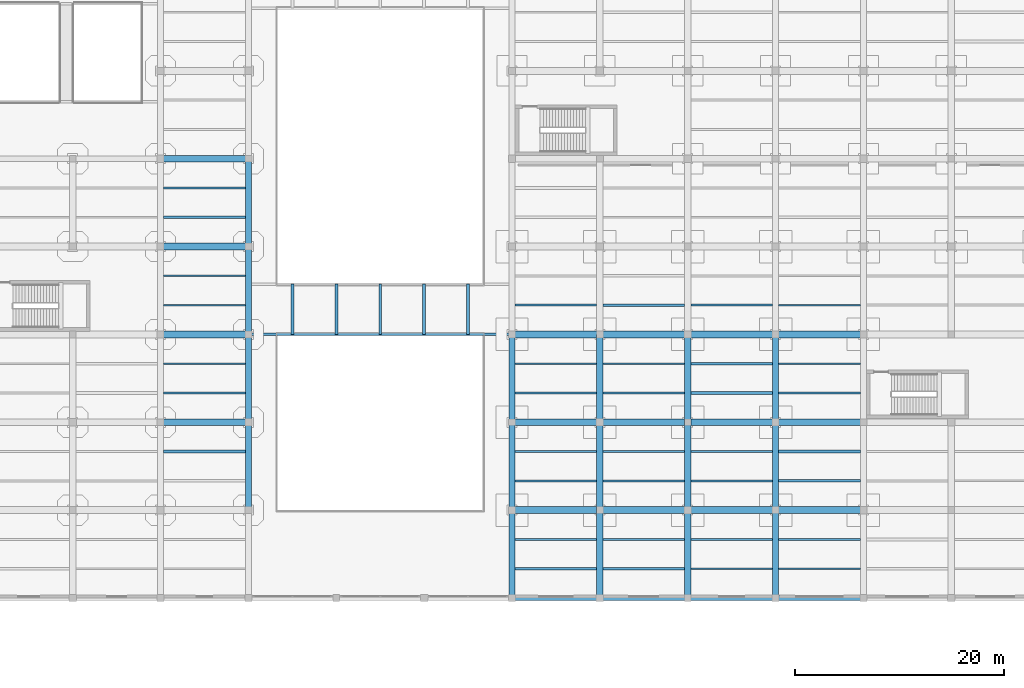
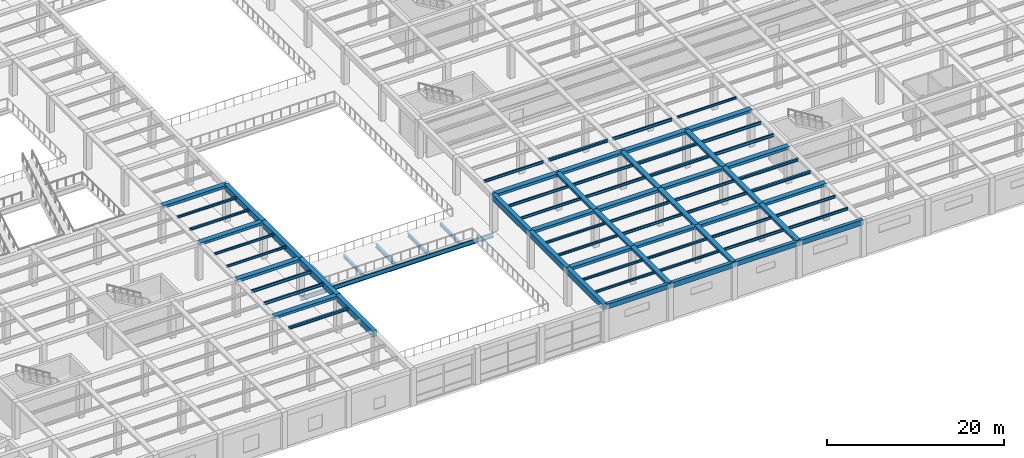
# One storey, part 27 of 95: 77 beams.
"""IFC4 building model written with IfcOpenShell, lengths in metres."""

from ifc_helpers import new_model, si_unit, direction, frame, origin, origin_2d, place, context, subcontext, project, spatial, rectangle, i_section, extrude, material, material_profile, profile_set, type_object, element, save


model = new_model("IFC4")

# Units and contexts
model_context = context("Model", 3, precision=1e-05, world=origin(), true_north=direction((0.0, 1.0)))
body_context = subcontext(model_context, "Body", "Model", "MODEL_VIEW")
ifc_project = project(units=[si_unit("LENGTHUNIT", "METRE"), si_unit("AREAUNIT", "SQUARE_METRE"), si_unit("VOLUMEUNIT", "CUBIC_METRE"), si_unit("PLANEANGLEUNIT", "RADIAN"), si_unit("MASSUNIT", "GRAM", prefix="KILO")], contexts=[model_context])

# Site, building, storey
site_placement = place(None, origin())
site = spatial("IfcSite", under=ifc_project, at=site_placement, CompositionType="ELEMENT")
building_placement = place(site_placement, origin())
building = spatial("IfcBuilding", under=site, at=building_placement, Name="Almacenes y Pasaje Nevantli", CompositionType="ELEMENT")
storey_placement = place(building_placement, frame((0.0, 0.0, 11.39990234375)))
storey = spatial("IfcBuildingStorey", under=building, at=storey_placement, Name="L03", CompositionType="ELEMENT", Elevation=11.39990234375)

# Beams
ifc_material_1 = material(Name="Concrete C35/45", Category="concrete")
ifc_material_profile_1 = material_profile(ifc_material_1, rectangle(XDim=0.449951171875, YDim=0.64990234375, at=origin_2d()), Name="RC-BM-450x650")
ifc_profile_set_1 = profile_set([ifc_material_profile_1], Name="Concrete C35/45")
beam_type_1 = type_object("IfcBeamType", Name="BM-RC-450x650", PredefinedType="SPANDREL", material=ifc_profile_set_1)
for number, where, z_axis, x_axis, name in (
    (1, (92.39990234375, 0.0, 4.775146484375), (1.0, 0.0, 0.0), (0.0, 1.0, 0.0), "L03 East-West Reinforced Concrete Beam #2245"),
    (2, (109.199951171875, 0.0, 4.775146484375), (1.0, 0.0, 0.0), (0.0, 1.0, 0.0), "L03 East-West Reinforced Concrete Beam #2247"),
):
    element("IfcBeam", number, at=place(storey_placement, frame(where, z_axis=z_axis, x_axis=x_axis)), inside=storey, type_object=beam_type_1, Name=name, PredefinedType="SPANDREL", context=body_context, shape_type="SweptSolid", body=[
        extrude(rectangle(XDim=0.449951171875, YDim=0.64990234375, at=origin_2d()), origin(), (0.0, 0.0, 1.0), 8.400146484375),
    ])
ifc_material_2 = material(Name="Concrete C35/45", Category="concrete")
ifc_material_profile_2 = material_profile(ifc_material_2, rectangle(XDim=0.449951171875, YDim=0.699951171875, at=origin_2d()), Name="RC-BM-450x700")
ifc_profile_set_2 = profile_set([ifc_material_profile_2], Name="Concrete C35/45")
beam_type_2 = type_object("IfcBeamType", Name="BM-RC-450x700", PredefinedType="SPANDREL", material=ifc_profile_set_2)
for number, where, z_axis, x_axis, name in (
    (3, (100.800048828125, 0.0, 4.75), (1.0, 0.0, 0.0), (0.0, 1.0, 0.0), "L03 East-West Reinforced Concrete Beam #2246"),
    (4, (117.60009765625, 0.0, 4.75), (1.0, 0.0, 0.0), (0.0, 1.0, 0.0), "L03 East-West Reinforced Concrete Beam #2248"),
):
    element("IfcBeam", number, at=place(storey_placement, frame(where, z_axis=z_axis, x_axis=x_axis)), inside=storey, type_object=beam_type_2, Name=name, PredefinedType="SPANDREL", context=body_context, shape_type="SweptSolid", body=[
        extrude(rectangle(XDim=0.449951171875, YDim=0.699951171875, at=origin_2d()), origin(), (0.0, 0.0, 1.0), 8.39990234375),
    ])
ifc_material_3 = material(Name="Concrete C35/45", Category="concrete")
ifc_material_profile_3 = material_profile(ifc_material_3, rectangle(XDim=0.550048828125, YDim=0.800048828125, at=origin_2d()), Name="RC-BM-550x800")
ifc_profile_set_3 = profile_set([ifc_material_profile_3], Name="Concrete C35/45")
beam_type_3 = type_object("IfcBeamType", Name="BM-RC-550x800", PredefinedType="BEAM", material=ifc_profile_set_3)
beam_1_placement = place(storey_placement, frame((67.199951171875, 8.39990234375, 4.7001953125), z_axis=(0.0, 1.0, 0.0), x_axis=(-1.0, 0.0, 0.0)))
element("IfcBeam", 5, at=beam_1_placement, inside=storey, type_object=beam_type_3, Name="L03 North-South Reinforced Concrete Beam #2569", PredefinedType="BEAM", context=body_context, shape_type="SweptSolid", body=[
    extrude(rectangle(XDim=0.550048828125, YDim=0.800048828125, at=origin_2d()), origin(), (0.0, 0.0, 1.0), 8.400146484375),
])
beam_2_placement = place(storey_placement, frame((67.199951171875, 16.800048828125, 4.7001953125), z_axis=(0.0, 1.0, 0.0), x_axis=(-1.0, 0.0, 0.0)))
element("IfcBeam", 6, at=beam_2_placement, inside=storey, type_object=beam_type_3, Name="L03 North-South Reinforced Concrete Beam #2570", PredefinedType="BEAM", context=body_context, shape_type="SweptSolid", body=[
    extrude(rectangle(XDim=0.550048828125, YDim=0.800048828125, at=origin_2d()), origin(), (0.0, 0.0, 1.0), 8.39990234375),
])
beam_3_placement = place(storey_placement, frame((67.199951171875, 25.199951171875, 4.7001953125), z_axis=(0.0, 1.0, 0.0), x_axis=(-1.0, 0.0, 0.0)))
element("IfcBeam", 7, at=beam_3_placement, inside=storey, type_object=beam_type_3, Name="L03 North-South Reinforced Concrete Beam #2571", PredefinedType="BEAM", context=body_context, shape_type="SweptSolid", body=[
    extrude(rectangle(XDim=0.550048828125, YDim=0.800048828125, at=origin_2d()), origin(), (0.0, 0.0, 1.0), 8.400146484375),
])
for number, where, z_axis, x_axis, name in (
    (8, (67.199951171875, 33.60009765625, 4.7001953125), (0.0, 1.0, 0.0), (-1.0, 0.0, 0.0), "L03 North-South Reinforced Concrete Beam #2572"),
    (9, (92.39990234375, 0.0, 4.7001953125), (0.0, 1.0, 0.0), (-1.0, 0.0, 0.0), "L03 North-South Reinforced Concrete Beam #2582"),
):
    element("IfcBeam", number, at=place(storey_placement, frame(where, z_axis=z_axis, x_axis=x_axis)), inside=storey, type_object=beam_type_3, Name=name, PredefinedType="BEAM", context=body_context, shape_type="SweptSolid", body=[
        extrude(rectangle(XDim=0.550048828125, YDim=0.800048828125, at=origin_2d()), origin(), (0.0, 0.0, 1.0), 8.39990234375),
    ])
beam_4_placement = place(storey_placement, frame((92.39990234375, 8.39990234375, 4.7001953125), z_axis=(0.0, 1.0, 0.0), x_axis=(-1.0, 0.0, 0.0)))
element("IfcBeam", 10, at=beam_4_placement, inside=storey, type_object=beam_type_3, Name="L03 North-South Reinforced Concrete Beam #2583", PredefinedType="BEAM", context=body_context, shape_type="SweptSolid", body=[
    extrude(rectangle(XDim=0.550048828125, YDim=0.800048828125, at=origin_2d()), origin(), (0.0, 0.0, 1.0), 8.400146484375),
])
beam_5_placement = place(storey_placement, frame((92.39990234375, 16.800048828125, 4.7001953125), z_axis=(0.0, 1.0, 0.0), x_axis=(-1.0, 0.0, 0.0)))
element("IfcBeam", 11, at=beam_5_placement, inside=storey, type_object=beam_type_3, Name="L03 North-South Reinforced Concrete Beam #2584", PredefinedType="BEAM", context=body_context, shape_type="SweptSolid", body=[
    extrude(rectangle(XDim=0.550048828125, YDim=0.800048828125, at=origin_2d()), origin(), (0.0, 0.0, 1.0), 8.39990234375),
])
ifc_material_4 = material(Name="Concrete C35/45", Category="concrete")
ifc_material_profile_4 = material_profile(ifc_material_4, rectangle(XDim=0.60009765625, YDim=0.320068359375, at=origin_2d()), Name="RC-BM-600x320")
ifc_profile_set_4 = profile_set([ifc_material_profile_4], Name="Concrete C35/45")
beam_type_4 = type_object("IfcBeamType", Name="BM-RC-600x320", PredefinedType="BEAM", material=ifc_profile_set_4)
beam_6_placement = place(storey_placement, frame((100.800048828125, 8.39990234375, 4.940185546875), z_axis=(0.0, 1.0, 0.0), x_axis=(-1.0, 0.0, 0.0)))
element("IfcBeam", 12, at=beam_6_placement, inside=storey, type_object=beam_type_4, Name="L03 North-South Reinforced Concrete Beam #2597", PredefinedType="BEAM", context=body_context, shape_type="SweptSolid", body=[
    extrude(rectangle(XDim=0.60009765625, YDim=0.320068359375, at=origin_2d()), origin(), (0.0, 0.0, 1.0), 8.400146484375),
])
for number, where, z_axis, x_axis, name in (
    (13, (109.199951171875, 0.0, 4.940185546875), (0.0, 1.0, 0.0), (-1.0, 0.0, 0.0), "L03 North-South Reinforced Concrete Beam #2609"),
    (14, (109.199951171875, 16.800048828125, 4.940185546875), (0.0, 1.0, 0.0), (-1.0, 0.0, 0.0), "L03 North-South Reinforced Concrete Beam #2611"),
):
    element("IfcBeam", number, at=place(storey_placement, frame(where, z_axis=z_axis, x_axis=x_axis)), inside=storey, type_object=beam_type_4, Name=name, PredefinedType="BEAM", context=body_context, shape_type="SweptSolid", body=[
        extrude(rectangle(XDim=0.60009765625, YDim=0.320068359375, at=origin_2d()), origin(), (0.0, 0.0, 1.0), 8.39990234375),
    ])
beam_7_placement = place(storey_placement, frame((117.60009765625, 8.39990234375, 4.940185546875), z_axis=(0.0, 1.0, 0.0), x_axis=(-1.0, 0.0, 0.0)))
element("IfcBeam", 15, at=beam_7_placement, inside=storey, type_object=beam_type_4, Name="L03 North-South Reinforced Concrete Beam #2623", PredefinedType="BEAM", context=body_context, shape_type="SweptSolid", body=[
    extrude(rectangle(XDim=0.60009765625, YDim=0.320068359375, at=origin_2d()), origin(), (0.0, 0.0, 1.0), 8.400146484375),
])
ifc_material_5 = material(Name="Concrete C35/45", Category="concrete")
ifc_material_profile_5 = material_profile(ifc_material_5, rectangle(XDim=0.60009765625, YDim=0.340087890625, at=origin_2d()), Name="RC-BM-600x340")
ifc_profile_set_5 = profile_set([ifc_material_profile_5], Name="Concrete C35/45")
beam_type_5 = type_object("IfcBeamType", Name="BM-RC-600x340", PredefinedType="BEAM", material=ifc_profile_set_5)
for number, where, z_axis, x_axis, name in (
    (16, (100.800048828125, 0.0, 4.93017578125), (0.0, 1.0, 0.0), (-1.0, 0.0, 0.0), "L03 North-South Reinforced Concrete Beam #2596"),
    (17, (100.800048828125, 16.800048828125, 4.93017578125), (0.0, 1.0, 0.0), (-1.0, 0.0, 0.0), "L03 North-South Reinforced Concrete Beam #2598"),
):
    element("IfcBeam", number, at=place(storey_placement, frame(where, z_axis=z_axis, x_axis=x_axis)), inside=storey, type_object=beam_type_5, Name=name, PredefinedType="BEAM", context=body_context, shape_type="SweptSolid", body=[
        extrude(rectangle(XDim=0.60009765625, YDim=0.340087890625, at=origin_2d()), origin(), (0.0, 0.0, 1.0), 8.39990234375),
    ])
beam_8_placement = place(storey_placement, frame((109.199951171875, 8.39990234375, 4.93017578125), z_axis=(0.0, 1.0, 0.0), x_axis=(-1.0, 0.0, 0.0)))
element("IfcBeam", 18, at=beam_8_placement, inside=storey, type_object=beam_type_5, Name="L03 North-South Reinforced Concrete Beam #2610", PredefinedType="BEAM", context=body_context, shape_type="SweptSolid", body=[
    extrude(rectangle(XDim=0.60009765625, YDim=0.340087890625, at=origin_2d()), origin(), (0.0, 0.0, 1.0), 8.400146484375),
])
for number, where, z_axis, x_axis, name in (
    (19, (117.60009765625, 0.0, 4.93017578125), (0.0, 1.0, 0.0), (-1.0, 0.0, 0.0), "L03 North-South Reinforced Concrete Beam #2622"),
    (20, (117.60009765625, 16.800048828125, 4.93017578125), (0.0, 1.0, 0.0), (-1.0, 0.0, 0.0), "L03 North-South Reinforced Concrete Beam #2624"),
):
    element("IfcBeam", number, at=place(storey_placement, frame(where, z_axis=z_axis, x_axis=x_axis)), inside=storey, type_object=beam_type_5, Name=name, PredefinedType="BEAM", context=body_context, shape_type="SweptSolid", body=[
        extrude(rectangle(XDim=0.60009765625, YDim=0.340087890625, at=origin_2d()), origin(), (0.0, 0.0, 1.0), 8.39990234375),
    ])
ifc_material_6 = material(Name="Concrete C35/45", Category="concrete")
ifc_material_profile_6 = material_profile(ifc_material_6, rectangle(XDim=0.64990234375, YDim=0.35009765625, at=origin_2d()), Name="RC-BM-650x350")
ifc_profile_set_6 = profile_set([ifc_material_profile_6], Name="Concrete C35/45")
beam_type_6 = type_object("IfcBeamType", Name="BM-RC-650x350", PredefinedType="BEAM", material=ifc_profile_set_6)
for number, where, z_axis, x_axis, name in (
    (21, (100.800048828125, 8.39990234375, 4.925048828125), (1.0, 0.0, 0.0), (0.0, 1.0, 0.0), "L03 East-West Reinforced Concrete Beam #2260"),
    (22, (117.60009765625, 8.39990234375, 4.925048828125), (1.0, 0.0, 0.0), (0.0, 1.0, 0.0), "L03 East-West Reinforced Concrete Beam #2262"),
    (23, (58.800048828125, 16.800048828125, 4.925048828125), (1.0, 0.0, 0.0), (0.0, 1.0, 0.0), "L03 East-West Reinforced Concrete Beam #2272"),
):
    element("IfcBeam", number, at=place(storey_placement, frame(where, z_axis=z_axis, x_axis=x_axis)), inside=storey, type_object=beam_type_6, Name=name, PredefinedType="BEAM", context=body_context, shape_type="SweptSolid", body=[
        extrude(rectangle(XDim=0.64990234375, YDim=0.35009765625, at=origin_2d()), origin(), (0.0, 0.0, 1.0), 8.39990234375),
    ])
for number, where, z_axis, x_axis, name in (
    (24, (92.39990234375, 16.800048828125, 4.925048828125), (1.0, 0.0, 0.0), (0.0, 1.0, 0.0), "L03 East-West Reinforced Concrete Beam #2273"),
    (25, (109.199951171875, 16.800048828125, 4.925048828125), (1.0, 0.0, 0.0), (0.0, 1.0, 0.0), "L03 East-West Reinforced Concrete Beam #2275"),
):
    element("IfcBeam", number, at=place(storey_placement, frame(where, z_axis=z_axis, x_axis=x_axis)), inside=storey, type_object=beam_type_6, Name=name, PredefinedType="BEAM", context=body_context, shape_type="SweptSolid", body=[
        extrude(rectangle(XDim=0.64990234375, YDim=0.35009765625, at=origin_2d()), origin(), (0.0, 0.0, 1.0), 8.400146484375),
    ])
for number, where, z_axis, x_axis, name in (
    (26, (100.800048828125, 25.199951171875, 4.925048828125), (1.0, 0.0, 0.0), (0.0, 1.0, 0.0), "L03 East-West Reinforced Concrete Beam #2291"),
    (27, (117.60009765625, 25.199951171875, 4.925048828125), (1.0, 0.0, 0.0), (0.0, 1.0, 0.0), "L03 East-West Reinforced Concrete Beam #2293"),
    (28, (58.800048828125, 33.60009765625, 4.925048828125), (1.0, 0.0, 0.0), (0.0, 1.0, 0.0), "L03 East-West Reinforced Concrete Beam #2306"),
):
    element("IfcBeam", number, at=place(storey_placement, frame(where, z_axis=z_axis, x_axis=x_axis)), inside=storey, type_object=beam_type_6, Name=name, PredefinedType="BEAM", context=body_context, shape_type="SweptSolid", body=[
        extrude(rectangle(XDim=0.64990234375, YDim=0.35009765625, at=origin_2d()), origin(), (0.0, 0.0, 1.0), 8.39990234375),
    ])
ifc_material_7 = material(Name="Concrete C35/45", Category="concrete")
ifc_material_profile_7 = material_profile(ifc_material_7, rectangle(XDim=0.64990234375, YDim=0.3798828125, at=origin_2d()), Name="RC-BM-650x380")
ifc_profile_set_7 = profile_set([ifc_material_profile_7], Name="Concrete C35/45")
beam_type_7 = type_object("IfcBeamType", Name="BM-RC-650x380", PredefinedType="BEAM", material=ifc_profile_set_7)
for number, where, z_axis, x_axis, name in (
    (29, (92.39990234375, 8.39990234375, 4.91015625), (1.0, 0.0, 0.0), (0.0, 1.0, 0.0), "L03 East-West Reinforced Concrete Beam #2259"),
    (30, (109.199951171875, 8.39990234375, 4.91015625), (1.0, 0.0, 0.0), (0.0, 1.0, 0.0), "L03 East-West Reinforced Concrete Beam #2261"),
):
    element("IfcBeam", number, at=place(storey_placement, frame(where, z_axis=z_axis, x_axis=x_axis)), inside=storey, type_object=beam_type_7, Name=name, PredefinedType="BEAM", context=body_context, shape_type="SweptSolid", body=[
        extrude(rectangle(XDim=0.64990234375, YDim=0.3798828125, at=origin_2d()), origin(), (0.0, 0.0, 1.0), 8.400146484375),
    ])
for number, where, z_axis, x_axis, name in (
    (31, (100.800048828125, 16.800048828125, 4.91015625), (1.0, 0.0, 0.0), (0.0, 1.0, 0.0), "L03 East-West Reinforced Concrete Beam #2274"),
    (32, (117.60009765625, 16.800048828125, 4.91015625), (1.0, 0.0, 0.0), (0.0, 1.0, 0.0), "L03 East-West Reinforced Concrete Beam #2276"),
    (33, (58.800048828125, 25.199951171875, 4.91015625), (1.0, 0.0, 0.0), (0.0, 1.0, 0.0), "L03 East-West Reinforced Concrete Beam #2289"),
):
    element("IfcBeam", number, at=place(storey_placement, frame(where, z_axis=z_axis, x_axis=x_axis)), inside=storey, type_object=beam_type_7, Name=name, PredefinedType="BEAM", context=body_context, shape_type="SweptSolid", body=[
        extrude(rectangle(XDim=0.64990234375, YDim=0.3798828125, at=origin_2d()), origin(), (0.0, 0.0, 1.0), 8.39990234375),
    ])
for number, where, z_axis, x_axis, name in (
    (34, (92.39990234375, 25.199951171875, 4.91015625), (1.0, 0.0, 0.0), (0.0, 1.0, 0.0), "L03 East-West Reinforced Concrete Beam #2290"),
    (35, (109.199951171875, 25.199951171875, 4.91015625), (1.0, 0.0, 0.0), (0.0, 1.0, 0.0), "L03 East-West Reinforced Concrete Beam #2292"),
):
    element("IfcBeam", number, at=place(storey_placement, frame(where, z_axis=z_axis, x_axis=x_axis)), inside=storey, type_object=beam_type_7, Name=name, PredefinedType="BEAM", context=body_context, shape_type="SweptSolid", body=[
        extrude(rectangle(XDim=0.64990234375, YDim=0.3798828125, at=origin_2d()), origin(), (0.0, 0.0, 1.0), 8.400146484375),
    ])
beam_9_placement = place(storey_placement, frame((58.800048828125, 42.0, 4.91015625), z_axis=(1.0, 0.0, 0.0), x_axis=(0.0, 1.0, 0.0)))
element("IfcBeam", 36, at=beam_9_placement, inside=storey, type_object=beam_type_7, Name="L03 East-West Reinforced Concrete Beam #2323", PredefinedType="BEAM", context=body_context, shape_type="SweptSolid", body=[
    extrude(rectangle(XDim=0.64990234375, YDim=0.3798828125, at=origin_2d()), origin(), (0.0, 0.0, 1.0), 8.39990234375),
])
ifc_material_8 = material(Name="Steel ASTM A992", Category="steel")
ifc_material_profile_8 = material_profile(ifc_material_8, i_section(OverallWidth=0.1650390625, OverallDepth=0.306884765625, WebThickness=0.006591796875, FlangeThickness=0.01025390625, at=origin_2d()), Name="IR 305x44.6")
ifc_profile_set_8 = profile_set([ifc_material_profile_8], Name="Steel ASTM A992")
beam_type_8 = type_object("IfcBeamType", Name="BM-STL-IR-305x44p6", PredefinedType="JOIST", material=ifc_profile_set_8)
for number, where, z_axis, x_axis, name in (
    (37, (59.10009765625, 28.0, 4.9384765625), (1.0, 0.0, 0.0), (0.0, 1.0, 0.0), "L03 Secondary Steel Floor Joist #775"),
    (38, (59.10009765625, 30.800048828125, 4.9384765625), (1.0, 0.0, 0.0), (0.0, 1.0, 0.0), "L03 Secondary Steel Floor Joist #776"),
):
    element("IfcBeam", number, at=place(storey_placement, frame(where, z_axis=z_axis, x_axis=x_axis)), inside=storey, type_object=beam_type_8, Name=name, PredefinedType="JOIST", context=body_context, shape_type="SweptSolid", body=[
        extrude(i_section(OverallWidth=0.1650390625, OverallDepth=0.306884765625, WebThickness=0.006591796875, FlangeThickness=0.01025390625, at=origin_2d()), origin(), (0.0, 0.0, 1.0), 7.824951171875),
    ])
beam_10_placement = place(storey_placement, frame((117.89990234375, 28.0, 4.9384765625), z_axis=(1.0, 0.0, 0.0), x_axis=(0.0, 1.0, 0.0)))
element("IfcBeam", 39, at=beam_10_placement, inside=storey, type_object=beam_type_8, Name="L03 Secondary Steel Floor Joist #877", PredefinedType="JOIST", context=body_context, shape_type="SweptSolid", body=[
    extrude(i_section(OverallWidth=0.1650390625, OverallDepth=0.306884765625, WebThickness=0.006591796875, FlangeThickness=0.01025390625, at=origin_2d()), origin(), (0.0, 0.0, 1.0), 7.800048828125),
])
ifc_material_9 = material(Name="Steel ASTM A992", Category="steel")
ifc_material_profile_9 = material_profile(ifc_material_9, i_section(OverallWidth=0.202880859375, OverallDepth=0.304931640625, WebThickness=0.007568359375, FlangeThickness=0.01318359375, at=origin_2d()), Name="IR 305x59.5")
ifc_profile_set_9 = profile_set([ifc_material_profile_9], Name="Steel ASTM A992")
beam_type_9 = type_object("IfcBeamType", Name="BM-STL-IR-305x59p5", PredefinedType="JOIST", material=ifc_profile_set_9)
for number, where, z_axis, x_axis, name in (
    (40, (59.10009765625, 36.39990234375, 4.939697265625), (1.0, 0.0, 0.0), (0.0, 1.0, 0.0), "L03 Secondary Steel Floor Joist #777"),
    (41, (59.10009765625, 39.199951171875, 4.939697265625), (1.0, 0.0, 0.0), (0.0, 1.0, 0.0), "L03 Secondary Steel Floor Joist #778"),
    (42, (92.675048828125, 2.800048828125, 4.939697265625), (1.0, 0.0, 0.0), (0.0, 1.0, 0.0), "L03 Secondary Steel Floor Joist #795"),
    (43, (92.675048828125, 5.60009765625, 4.939697265625), (1.0, 0.0, 0.0), (0.0, 1.0, 0.0), "L03 Secondary Steel Floor Joist #796"),
):
    element("IfcBeam", number, at=place(storey_placement, frame(where, z_axis=z_axis, x_axis=x_axis)), inside=storey, type_object=beam_type_9, Name=name, PredefinedType="JOIST", context=body_context, shape_type="SweptSolid", body=[
        extrude(i_section(OverallWidth=0.202880859375, OverallDepth=0.304931640625, WebThickness=0.007568359375, FlangeThickness=0.01318359375, at=origin_2d()), origin(), (0.0, 0.0, 1.0), 7.824951171875),
    ])
ifc_material_10 = material(Name="Steel ASTM A992", Category="steel")
ifc_material_profile_10 = material_profile(ifc_material_10, i_section(OverallWidth=0.205078125, OverallDepth=0.31005859375, WebThickness=0.009521484375, FlangeThickness=0.016357421875, at=origin_2d()), Name="IR 305x74.4")
ifc_profile_set_10 = profile_set([ifc_material_profile_10], Name="Steel ASTM A992")
beam_type_10 = type_object("IfcBeamType", Name="BM-STL-IR-305x74p4", PredefinedType="JOIST", material=ifc_profile_set_10)
for number, where, z_axis, x_axis, name in (
    (44, (92.675048828125, 11.199951171875, 4.93701171875), (1.0, 0.0, 0.0), (0.0, 1.0, 0.0), "L03 Secondary Steel Floor Joist #797"),
    (45, (92.675048828125, 14.0, 4.93701171875), (1.0, 0.0, 0.0), (0.0, 1.0, 0.0), "L03 Secondary Steel Floor Joist #798"),
):
    element("IfcBeam", number, at=place(storey_placement, frame(where, z_axis=z_axis, x_axis=x_axis)), inside=storey, type_object=beam_type_10, Name=name, PredefinedType="JOIST", context=body_context, shape_type="SweptSolid", body=[
        extrude(i_section(OverallWidth=0.205078125, OverallDepth=0.31005859375, WebThickness=0.009521484375, FlangeThickness=0.016357421875, at=origin_2d()), origin(), (0.0, 0.0, 1.0), 7.824951171875),
    ])
for number, where, z_axis, x_axis, name in (
    (46, (101.10009765625, 2.800048828125, 4.93701171875), (1.0, 0.0, 0.0), (0.0, 1.0, 0.0), "L03 Secondary Steel Floor Joist #821"),
    (47, (101.10009765625, 5.60009765625, 4.93701171875), (1.0, 0.0, 0.0), (0.0, 1.0, 0.0), "L03 Secondary Steel Floor Joist #822"),
):
    element("IfcBeam", number, at=place(storey_placement, frame(where, z_axis=z_axis, x_axis=x_axis)), inside=storey, type_object=beam_type_10, Name=name, PredefinedType="JOIST", context=body_context, shape_type="SweptSolid", body=[
        extrude(i_section(OverallWidth=0.205078125, OverallDepth=0.31005859375, WebThickness=0.009521484375, FlangeThickness=0.016357421875, at=origin_2d()), origin(), (0.0, 0.0, 1.0), 7.7998046875),
    ])
ifc_material_11 = material(Name="Steel ASTM A992", Category="steel")
ifc_material_profile_11 = material_profile(ifc_material_11, i_section(OverallWidth=0.173095703125, OverallDepth=0.35302734375, WebThickness=0.0078125, FlangeThickness=0.01318359375, at=origin_2d()), Name="IR 356x56.6")
ifc_profile_set_11 = profile_set([ifc_material_profile_11], Name="Steel ASTM A992")
beam_type_11 = type_object("IfcBeamType", Name="BM-STL-IR-356x56p6", PredefinedType="JOIST", material=ifc_profile_set_11)
for number, where, z_axis, x_axis, name in (
    (48, (92.675048828125, 19.60009765625, 4.91552734375), (1.0, 0.0, 0.0), (0.0, 1.0, 0.0), "L03 Secondary Steel Floor Joist #799"),
    (49, (92.675048828125, 22.39990234375, 4.91552734375), (1.0, 0.0, 0.0), (0.0, 1.0, 0.0), "L03 Secondary Steel Floor Joist #800"),
):
    element("IfcBeam", number, at=place(storey_placement, frame(where, z_axis=z_axis, x_axis=x_axis)), inside=storey, type_object=beam_type_11, Name=name, PredefinedType="JOIST", context=body_context, shape_type="SweptSolid", body=[
        extrude(i_section(OverallWidth=0.173095703125, OverallDepth=0.35302734375, WebThickness=0.0078125, FlangeThickness=0.01318359375, at=origin_2d()), origin(), (0.0, 0.0, 1.0), 7.824951171875),
    ])
for number, where, z_axis, x_axis, name in (
    (50, (101.10009765625, 11.199951171875, 4.91552734375), (1.0, 0.0, 0.0), (0.0, 1.0, 0.0), "L03 Secondary Steel Floor Joist #823"),
    (51, (101.10009765625, 14.0, 4.91552734375), (1.0, 0.0, 0.0), (0.0, 1.0, 0.0), "L03 Secondary Steel Floor Joist #824"),
):
    element("IfcBeam", number, at=place(storey_placement, frame(where, z_axis=z_axis, x_axis=x_axis)), inside=storey, type_object=beam_type_11, Name=name, PredefinedType="JOIST", context=body_context, shape_type="SweptSolid", body=[
        extrude(i_section(OverallWidth=0.173095703125, OverallDepth=0.35302734375, WebThickness=0.0078125, FlangeThickness=0.01318359375, at=origin_2d()), origin(), (0.0, 0.0, 1.0), 7.7998046875),
    ])
for number, where, z_axis, x_axis, name in (
    (52, (109.5, 2.800048828125, 4.91552734375), (1.0, 0.0, 0.0), (0.0, 1.0, 0.0), "L03 Secondary Steel Floor Joist #845"),
    (53, (109.5, 5.60009765625, 4.91552734375), (1.0, 0.0, 0.0), (0.0, 1.0, 0.0), "L03 Secondary Steel Floor Joist #846"),
):
    element("IfcBeam", number, at=place(storey_placement, frame(where, z_axis=z_axis, x_axis=x_axis)), inside=storey, type_object=beam_type_11, Name=name, PredefinedType="JOIST", context=body_context, shape_type="SweptSolid", body=[
        extrude(i_section(OverallWidth=0.173095703125, OverallDepth=0.35302734375, WebThickness=0.0078125, FlangeThickness=0.01318359375, at=origin_2d()), origin(), (0.0, 0.0, 1.0), 7.800048828125),
    ])
ifc_material_12 = material(Name="Steel ASTM A992", Category="steel")
ifc_material_profile_12 = material_profile(ifc_material_12, i_section(OverallWidth=0.173095703125, OverallDepth=0.364013671875, WebThickness=0.009033203125, FlangeThickness=0.015625, at=origin_2d()), Name="IR 356x67.0")
ifc_profile_set_12 = profile_set([ifc_material_profile_12], Name="Steel ASTM A992")
beam_type_12 = type_object("IfcBeamType", Name="BM-STL-IR-356x67p0", PredefinedType="JOIST", material=ifc_profile_set_12)
beam_11_placement = place(storey_placement, frame((92.675048828125, 28.0, 4.91015625), z_axis=(1.0, 0.0, 0.0), x_axis=(0.0, 1.0, 0.0)))
element("IfcBeam", 54, at=beam_11_placement, inside=storey, type_object=beam_type_12, Name="L03 Secondary Steel Floor Joist #801", PredefinedType="JOIST", context=body_context, shape_type="SweptSolid", body=[
    extrude(i_section(OverallWidth=0.173095703125, OverallDepth=0.364013671875, WebThickness=0.009033203125, FlangeThickness=0.015625, at=origin_2d()), origin(), (0.0, 0.0, 1.0), 7.824951171875),
])
for number, where, z_axis, x_axis, name in (
    (55, (101.10009765625, 19.60009765625, 4.91015625), (1.0, 0.0, 0.0), (0.0, 1.0, 0.0), "L03 Secondary Steel Floor Joist #825"),
    (56, (101.10009765625, 22.39990234375, 4.91015625), (1.0, 0.0, 0.0), (0.0, 1.0, 0.0), "L03 Secondary Steel Floor Joist #826"),
):
    element("IfcBeam", number, at=place(storey_placement, frame(where, z_axis=z_axis, x_axis=x_axis)), inside=storey, type_object=beam_type_12, Name=name, PredefinedType="JOIST", context=body_context, shape_type="SweptSolid", body=[
        extrude(i_section(OverallWidth=0.173095703125, OverallDepth=0.364013671875, WebThickness=0.009033203125, FlangeThickness=0.015625, at=origin_2d()), origin(), (0.0, 0.0, 1.0), 7.7998046875),
    ])
for number, where, z_axis, x_axis, name in (
    (57, (109.5, 11.199951171875, 4.91015625), (1.0, 0.0, 0.0), (0.0, 1.0, 0.0), "L03 Secondary Steel Floor Joist #847"),
    (58, (109.5, 14.0, 4.91015625), (1.0, 0.0, 0.0), (0.0, 1.0, 0.0), "L03 Secondary Steel Floor Joist #848"),
    (59, (117.89990234375, 2.800048828125, 4.91015625), (1.0, 0.0, 0.0), (0.0, 1.0, 0.0), "L03 Secondary Steel Floor Joist #871"),
    (60, (117.89990234375, 5.60009765625, 4.91015625), (1.0, 0.0, 0.0), (0.0, 1.0, 0.0), "L03 Secondary Steel Floor Joist #872"),
):
    element("IfcBeam", number, at=place(storey_placement, frame(where, z_axis=z_axis, x_axis=x_axis)), inside=storey, type_object=beam_type_12, Name=name, PredefinedType="JOIST", context=body_context, shape_type="SweptSolid", body=[
        extrude(i_section(OverallWidth=0.173095703125, OverallDepth=0.364013671875, WebThickness=0.009033203125, FlangeThickness=0.015625, at=origin_2d()), origin(), (0.0, 0.0, 1.0), 7.800048828125),
    ])
ifc_material_13 = material(Name="Steel ASTM A992", Category="steel")
ifc_material_profile_13 = material_profile(ifc_material_13, i_section(OverallWidth=0.25390625, OverallDepth=0.35595703125, WebThickness=0.009521484375, FlangeThickness=0.016357421875, at=origin_2d()), Name="IR 356x79.0")
ifc_profile_set_13 = profile_set([ifc_material_profile_13], Name="Steel ASTM A992")
beam_type_13 = type_object("IfcBeamType", Name="BM-STL-IR-356x79p0", PredefinedType="JOIST", material=ifc_profile_set_13)
beam_12_placement = place(storey_placement, frame((59.10009765625, 14.0, 4.9140625), z_axis=(1.0, 0.0, 0.0), x_axis=(0.0, 1.0, 0.0)))
element("IfcBeam", 61, at=beam_12_placement, inside=storey, type_object=beam_type_13, Name="L03 Secondary Steel Floor Joist #772", PredefinedType="JOIST", context=body_context, shape_type="SweptSolid", body=[
    extrude(i_section(OverallWidth=0.25390625, OverallDepth=0.35595703125, WebThickness=0.009521484375, FlangeThickness=0.016357421875, at=origin_2d()), origin(), (0.0, 0.0, 1.0), 7.824951171875),
])
beam_13_placement = place(storey_placement, frame((101.10009765625, 28.0, 4.9140625), z_axis=(1.0, 0.0, 0.0), x_axis=(0.0, 1.0, 0.0)))
element("IfcBeam", 62, at=beam_13_placement, inside=storey, type_object=beam_type_13, Name="L03 Secondary Steel Floor Joist #827", PredefinedType="JOIST", context=body_context, shape_type="SweptSolid", body=[
    extrude(i_section(OverallWidth=0.25390625, OverallDepth=0.35595703125, WebThickness=0.009521484375, FlangeThickness=0.016357421875, at=origin_2d()), origin(), (0.0, 0.0, 1.0), 7.7998046875),
])
for number, where, z_axis, x_axis, name in (
    (63, (109.5, 19.60009765625, 4.9140625), (1.0, 0.0, 0.0), (0.0, 1.0, 0.0), "L03 Secondary Steel Floor Joist #849"),
    (64, (109.5, 22.39990234375, 4.9140625), (1.0, 0.0, 0.0), (0.0, 1.0, 0.0), "L03 Secondary Steel Floor Joist #850"),
    (65, (117.89990234375, 11.199951171875, 4.9140625), (1.0, 0.0, 0.0), (0.0, 1.0, 0.0), "L03 Secondary Steel Floor Joist #873"),
    (66, (117.89990234375, 14.0, 4.9140625), (1.0, 0.0, 0.0), (0.0, 1.0, 0.0), "L03 Secondary Steel Floor Joist #874"),
):
    element("IfcBeam", number, at=place(storey_placement, frame(where, z_axis=z_axis, x_axis=x_axis)), inside=storey, type_object=beam_type_13, Name=name, PredefinedType="JOIST", context=body_context, shape_type="SweptSolid", body=[
        extrude(i_section(OverallWidth=0.25390625, OverallDepth=0.35595703125, WebThickness=0.009521484375, FlangeThickness=0.016357421875, at=origin_2d()), origin(), (0.0, 0.0, 1.0), 7.800048828125),
    ])
ifc_material_14 = material(Name="Steel ASTM A992", Category="steel")
ifc_material_profile_14 = material_profile(ifc_material_14, i_section(OverallWidth=0.178955078125, OverallDepth=0.406005859375, WebThickness=0.0087890625, FlangeThickness=0.014404296875, at=origin_2d()), Name="IR 406x67.0")
ifc_profile_set_14 = profile_set([ifc_material_profile_14], Name="Steel ASTM A992")
beam_type_14 = type_object("IfcBeamType", Name="BM-STL-IR-406x67p0", PredefinedType="JOIST", material=ifc_profile_set_14)
for number, where, z_axis, x_axis, name in (
    (67, (59.10009765625, 19.60009765625, 4.88916015625), (1.0, 0.0, 0.0), (0.0, 1.0, 0.0), "L03 Secondary Steel Floor Joist #773"),
    (68, (59.10009765625, 22.39990234375, 4.88916015625), (1.0, 0.0, 0.0), (0.0, 1.0, 0.0), "L03 Secondary Steel Floor Joist #774"),
):
    element("IfcBeam", number, at=place(storey_placement, frame(where, z_axis=z_axis, x_axis=x_axis)), inside=storey, type_object=beam_type_14, Name=name, PredefinedType="JOIST", context=body_context, shape_type="SweptSolid", body=[
        extrude(i_section(OverallWidth=0.178955078125, OverallDepth=0.406005859375, WebThickness=0.0087890625, FlangeThickness=0.014404296875, at=origin_2d()), origin(), (0.0, 0.0, 1.0), 7.824951171875),
    ])
for number, where, z_axis, x_axis, name in (
    (69, (109.5, 28.0, 4.88916015625), (1.0, 0.0, 0.0), (0.0, 1.0, 0.0), "L03 Secondary Steel Floor Joist #851"),
    (70, (117.89990234375, 19.60009765625, 4.88916015625), (1.0, 0.0, 0.0), (0.0, 1.0, 0.0), "L03 Secondary Steel Floor Joist #875"),
    (71, (117.89990234375, 22.39990234375, 4.88916015625), (1.0, 0.0, 0.0), (0.0, 1.0, 0.0), "L03 Secondary Steel Floor Joist #876"),
):
    element("IfcBeam", number, at=place(storey_placement, frame(where, z_axis=z_axis, x_axis=x_axis)), inside=storey, type_object=beam_type_14, Name=name, PredefinedType="JOIST", context=body_context, shape_type="SweptSolid", body=[
        extrude(i_section(OverallWidth=0.178955078125, OverallDepth=0.406005859375, WebThickness=0.0087890625, FlangeThickness=0.014404296875, at=origin_2d()), origin(), (0.0, 0.0, 1.0), 7.800048828125),
    ])
ifc_material_15 = material(Name="Steel ASTM A992", Category="steel")
ifc_material_profile_15 = material_profile(ifc_material_15, i_section(OverallWidth=0.280029296875, OverallDepth=0.462890625, WebThickness=0.0107421875, FlangeThickness=0.017333984375, at=origin_2d()), Name="IR 457x113.0")
ifc_profile_set_15 = profile_set([ifc_material_profile_15], Name="Steel ASTM A992")
beam_type_15 = type_object("IfcBeamType", Name="BM-STL-IR-457x113p0", PredefinedType="BEAM", material=ifc_profile_set_15)
for number, where, z_axis, x_axis, name in (
    (72, (71.39990234375, 25.199951171875, -0.539306640625), (0.0, 1.0, 0.0), (-1.0, 0.0, 0.0), "L03 Arcade Gallery Bridge Cross Beam #24"),
    (73, (75.60009765625, 25.199951171875, -0.539306640625), (0.0, 1.0, 0.0), (-1.0, 0.0, 0.0), "L03 Arcade Gallery Bridge Cross Beam #25"),
    (74, (79.800048828125, 25.199951171875, -0.539306640625), (0.0, 1.0, 0.0), (-1.0, 0.0, 0.0), "L03 Arcade Gallery Bridge Cross Beam #26"),
    (75, (84.0, 25.199951171875, -0.539306640625), (0.0, 1.0, 0.0), (-1.0, 0.0, 0.0), "L03 Arcade Gallery Bridge Cross Beam #27"),
    (76, (88.199951171875, 25.199951171875, -0.539306640625), (0.0, 1.0, 0.0), (-1.0, 0.0, 0.0), "L03 Arcade Gallery Bridge Cross Beam #28"),
):
    element("IfcBeam", number, at=place(storey_placement, frame(where, z_axis=z_axis, x_axis=x_axis)), inside=storey, type_object=beam_type_15, Name=name, PredefinedType="BEAM", context=body_context, shape_type="SweptSolid", body=[
        extrude(i_section(OverallWidth=0.280029296875, OverallDepth=0.462890625, WebThickness=0.0107421875, FlangeThickness=0.017333984375, at=origin_2d()), origin(), (0.0, 0.0, 1.0), 4.800048828125),
    ])
ifc_material_16 = material(Name="Steel ASTM A992", Category="steel")
ifc_material_profile_16 = material_profile(ifc_material_16, i_section(OverallWidth=0.22900390625, OverallDepth=0.612060546875, WebThickness=0.011962890625, FlangeThickness=0.01953125, at=origin_2d()), Name="IR 610x125.0")
ifc_profile_set_16 = profile_set([ifc_material_profile_16], Name="Steel ASTM A992")
beam_type_16 = type_object("IfcBeamType", Name="BM-STL-IR-610x125p0", PredefinedType="BEAM", material=ifc_profile_set_16)
beam_14_placement = place(storey_placement, frame((67.199951171875, 25.199951171875, -0.614013671875), z_axis=(1.0, 0.0, 0.0), x_axis=(0.0, 1.0, 0.0)))
element("IfcBeam", 77, at=beam_14_placement, inside=storey, type_object=beam_type_16, Name="L03 Arcade Gallery Bridge Steel Girder BRG-ARC-1.1", PredefinedType="BEAM", context=body_context, shape_type="SweptSolid", body=[
    extrude(i_section(OverallWidth=0.22900390625, OverallDepth=0.612060546875, WebThickness=0.011962890625, FlangeThickness=0.01953125, at=origin_2d()), origin(), (0.0, 0.0, 1.0), 25.199951171875),
])

save(model, "model.ifc")
